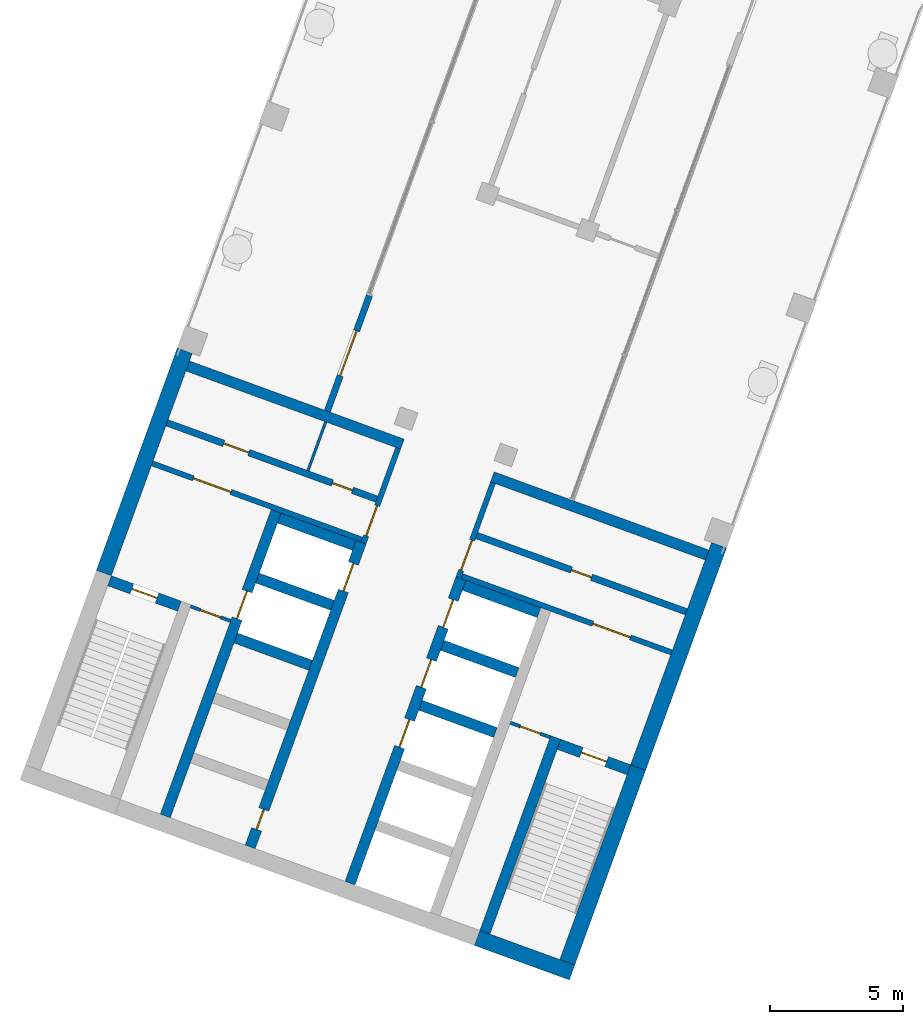
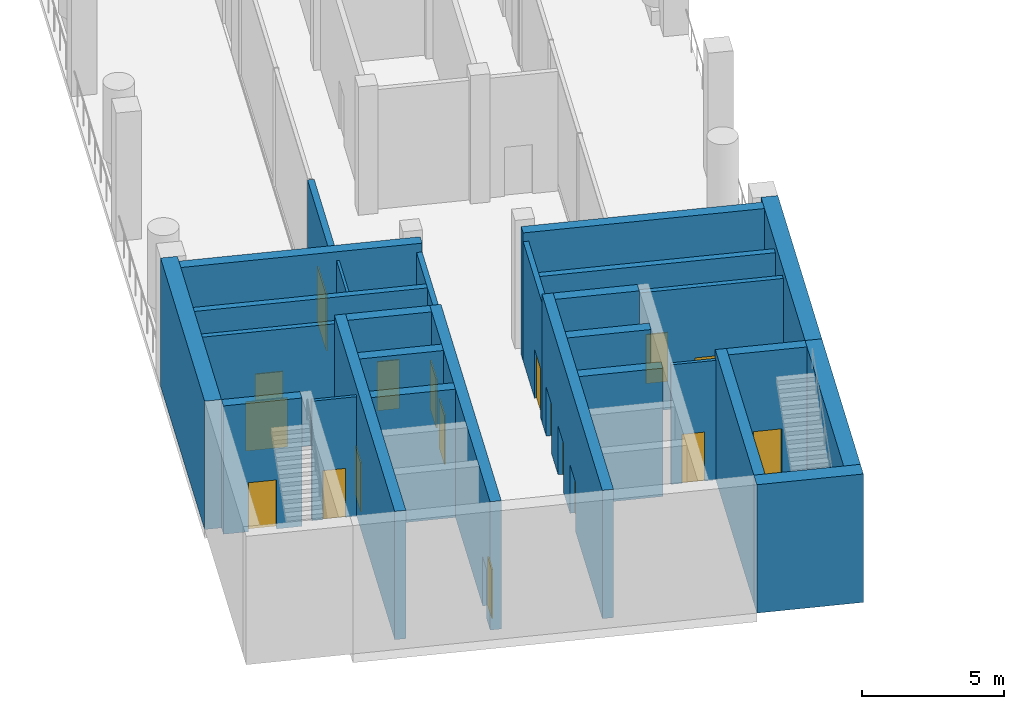
# One storey, part 9 of 19: 28 walls, 18 doors, 18 openings.
"""IFC4 building model written with IfcOpenShell, lengths in metres."""

from ifc_helpers import new_model, si_unit, direction, frame, frame_2d, origin, place, context, subcontext, project, spatial, rectangle, extrude, material, layer, layer_set, type_object, element, fill, save


model = new_model("IFC4")

# Units and contexts
model_context = context("Model", 3, precision=1e-05, world=origin(), true_north=direction((0.0, 1.0)))
body_context = subcontext(model_context, "Body", "Model", "MODEL_VIEW")
ifc_project = project(units=[si_unit("LENGTHUNIT", "METRE"), si_unit("AREAUNIT", "SQUARE_METRE"), si_unit("VOLUMEUNIT", "CUBIC_METRE"), si_unit("PLANEANGLEUNIT", "RADIAN"), si_unit("MASSUNIT", "GRAM", prefix="KILO")], contexts=[model_context])

# Site, building, storey
site_placement = place(None, origin())
site = spatial("IfcSite", under=ifc_project, at=site_placement, CompositionType="ELEMENT")
building_placement = place(site_placement, origin())
building = spatial("IfcBuilding", under=site, at=building_placement, Name="Skarvind Civic Tower", CompositionType="ELEMENT")
storey_placement = place(building_placement, frame((0.0, 0.0, 75.5)))
storey = spatial("IfcBuildingStorey", under=building, at=storey_placement, Name="L17", CompositionType="ELEMENT", Elevation=75.5)

# Wall, opening, door
ifc_material_1 = material(Name="Fire-rated masonry partition", Category="masonry")
ifc_layer_1 = layer(ifc_material_1, 0.199951171875)
ifc_layer_set_1 = layer_set([ifc_layer_1], Name="Core enclosure wall 200")
wall_type_1 = type_object("IfcWallType", Name="Core enclosure wall 200", PredefinedType="PARTITIONING", material=ifc_layer_set_1)
wall_1_placement = place(storey_placement, frame((31.491455078125, 93.693359375, 0.0), z_axis=(0.0, 0.0, 1.0), x_axis=(0.341995824804, 0.939701471648, 0.0)))
wall_1 = element("IfcWall", 1, at=wall_1_placement, inside=storey, type_object=wall_type_1, Name="Core wall C2", PredefinedType="PARTITIONING", context=body_context, shape_type="SweptSolid", body=[
    extrude(rectangle(XDim=3.800048828125, YDim=0.199951171875, at=frame_2d((1.89990234375, 0.0))), origin(), (0.0, 0.0, 1.0), 5.125),
])
opening_1_placement = place(wall_1_placement, frame((0.300048828125, 0.0, 0.0)))
opening_1 = element("IfcOpeningElement", 2, at=opening_1_placement, cuts=wall_1, Name="Opening D-L17-C2-06", PredefinedType="OPENING", context=body_context, shape_type="SweptSolid", body=[
    extrude(rectangle(XDim=1.199951171875, YDim=2.10009765625, at=frame_2d((0.60009765625, 1.050048828125))), frame((0.0, 0.10986328125, 0.0), z_axis=(0.0, -1.0, 0.0), x_axis=(1.0, 0.0, 0.0)), (0.0, 0.0, 1.0), 0.219970703125),
])
ifc_material_2 = material(Name="Fire-rated steel door", Category="steel")
door_type_1 = type_object("IfcDoorType", Name="Core lobby door 1200", OperationType="NOTDEFINED", PredefinedType="DOOR", material=ifc_material_2)
door_1_placement = place(opening_1_placement, origin())
door_1 = element("IfcDoor", 3, at=door_1_placement, inside=storey, type_object=door_type_1, Name="Fire door", OperationType="DOUBLE_DOOR_SINGLE_SWING", OverallHeight=2.10009765625, OverallWidth=1.199951171875, PredefinedType="DOOR", context=body_context, shape_type="SweptSolid", body=[
    extrude(rectangle(XDim=1.199951171875, YDim=2.10009765625, at=frame_2d((0.60009765625, 1.050048828125))), frame((0.0, 0.02490234375, 0.0), z_axis=(0.0, -1.0, 0.0), x_axis=(1.0, 0.0, 0.0)), (0.0, 0.0, 1.0), 0.050048828125),
])
fill(opening_1, door_1)

wall_2_placement = place(storey_placement, frame((23.5380859375, 96.6943359375, 0.0), z_axis=(0.0, 0.0, 1.0), x_axis=(0.939691552312, -0.342023078919, 0.0)))
wall_2 = element("IfcWall", 4, at=wall_2_placement, inside=storey, type_object=wall_type_1, Name="Core wall C2", PredefinedType="PARTITIONING", context=body_context, shape_type="SweptSolid", body=[
    extrude(rectangle(XDim=8.400146484375, YDim=0.199951171875, at=frame_2d((4.2001953125, 0.0))), origin(), (0.0, 0.0, 1.0), 5.125),
])
opening_2_placement = place(wall_2_placement, frame((1.64990234375, 0.0, 0.0)))
opening_2 = element("IfcOpeningElement", 5, at=opening_2_placement, cuts=wall_2, Name="Opening D-L17-C2-07", PredefinedType="OPENING", context=body_context, shape_type="SweptSolid", body=[
    extrude(rectangle(XDim=1.5, YDim=2.10009765625, at=frame_2d((0.75, 1.050048828125))), frame((0.0, 0.10986328125, 0.0), z_axis=(0.0, -1.0, 0.0), x_axis=(1.0, 0.0, 0.0)), (0.0, 0.0, 1.0), 0.219970703125),
])
door_type_2 = type_object("IfcDoorType", Name="Fire door 1500", OperationType="NOTDEFINED", PredefinedType="DOOR", material=ifc_material_2)
door_2_placement = place(opening_2_placement, origin())
door_2 = element("IfcDoor", 6, at=door_2_placement, inside=storey, type_object=door_type_2, Name="Fire door", OperationType="DOUBLE_DOOR_SINGLE_SWING", OverallHeight=2.10009765625, OverallWidth=1.5, PredefinedType="DOOR", context=body_context, shape_type="SweptSolid", body=[
    extrude(rectangle(XDim=1.5, YDim=2.10009765625, at=frame_2d((0.75, 1.050048828125))), frame((0.0, 0.02490234375, 0.0), z_axis=(0.0, -1.0, 0.0), x_axis=(1.0, 0.0, 0.0)), (0.0, 0.0, 1.0), 0.050048828125),
])
fill(opening_2, door_2)

wall_3_placement = place(storey_placement, frame((36.36181640625, 95.96435546875, 0.0), z_axis=(0.0, 0.0, 1.0), x_axis=(-0.341995824804, -0.939701471648, 0.0)))
wall_3 = element("IfcWall", 7, at=wall_3_placement, inside=storey, type_object=wall_type_1, Name="Core wall C2", PredefinedType="PARTITIONING", context=body_context, shape_type="SweptSolid", body=[
    extrude(rectangle(XDim=3.800048828125, YDim=0.199951171875, at=frame_2d((1.89990234375, 0.0))), origin(), (0.0, 0.0, 1.0), 5.125),
])
opening_3_placement = place(wall_3_placement, frame((2.300048828125, 0.0, 0.0)))
opening_3 = element("IfcOpeningElement", 8, at=opening_3_placement, cuts=wall_3, Name="Opening D-L17-C2-12", PredefinedType="OPENING", context=body_context, shape_type="SweptSolid", body=[
    extrude(rectangle(XDim=1.199951171875, YDim=2.10009765625, at=frame_2d((0.60009765625, 1.050048828125))), frame((0.0, 0.10986328125, 0.0), z_axis=(0.0, -1.0, 0.0), x_axis=(1.0, 0.0, 0.0)), (0.0, 0.0, 1.0), 0.219970703125),
])
door_3_placement = place(opening_3_placement, origin())
door_3 = element("IfcDoor", 9, at=door_3_placement, inside=storey, type_object=door_type_1, Name="Fire door", OperationType="DOUBLE_DOOR_SINGLE_SWING", OverallHeight=2.10009765625, OverallWidth=1.199951171875, PredefinedType="DOOR", context=body_context, shape_type="SweptSolid", body=[
    extrude(rectangle(XDim=1.199951171875, YDim=2.10009765625, at=frame_2d((0.60009765625, 1.050048828125))), frame((0.0, 0.02490234375, 0.0), z_axis=(0.0, -1.0, 0.0), x_axis=(1.0, 0.0, 0.0)), (0.0, 0.0, 1.0), 0.050048828125),
])
fill(opening_3, door_3)

wall_4_placement = place(storey_placement, frame((35.1904296875, 92.453369140625, 0.0), z_axis=(0.0, 0.0, 1.0), x_axis=(0.939691552312, -0.342023078919, 0.0)))
wall_4 = element("IfcWall", 10, at=wall_4_placement, inside=storey, type_object=wall_type_1, Name="Core wall C2", PredefinedType="PARTITIONING", context=body_context, shape_type="SweptSolid", body=[
    extrude(rectangle(XDim=8.400146484375, YDim=0.199951171875, at=frame_2d((4.2001953125, 0.0))), origin(), (0.0, 0.0, 1.0), 5.125),
])
opening_4_placement = place(wall_4_placement, frame((5.25, 0.0, 0.0)))
opening_4 = element("IfcOpeningElement", 11, at=opening_4_placement, cuts=wall_4, Name="Opening D-L17-C2-13", PredefinedType="OPENING", context=body_context, shape_type="SweptSolid", body=[
    extrude(rectangle(XDim=1.5, YDim=2.10009765625, at=frame_2d((0.75, 1.050048828125))), frame((0.0, 0.10986328125, 0.0), z_axis=(0.0, -1.0, 0.0), x_axis=(1.0, 0.0, 0.0)), (0.0, 0.0, 1.0), 0.219970703125),
])
door_4_placement = place(opening_4_placement, origin())
door_4 = element("IfcDoor", 12, at=door_4_placement, inside=storey, type_object=door_type_2, Name="Fire door", OperationType="DOUBLE_DOOR_SINGLE_SWING", OverallHeight=2.10009765625, OverallWidth=1.5, PredefinedType="DOOR", context=body_context, shape_type="SweptSolid", body=[
    extrude(rectangle(XDim=1.5, YDim=2.10009765625, at=frame_2d((0.75, 1.050048828125))), frame((0.0, 0.02490234375, 0.0), z_axis=(0.0, -1.0, 0.0), x_axis=(1.0, 0.0, 0.0)), (0.0, 0.0, 1.0), 0.050048828125),
])
fill(opening_4, door_4)

# Walls
ifc_material_3 = material(Name="Fire-rated plasterboard partition")
ifc_layer_2 = layer(ifc_material_3, 0.10009765625)
ifc_layer_set_2 = layer_set([ifc_layer_2], Name="Core partition wall 100")
wall_type_2 = type_object("IfcWallType", Name="Core partition wall 100", PredefinedType="PARTITIONING", material=ifc_layer_set_2)
wall_5_placement = place(storey_placement, frame((29.399169921875, 96.423583984375, 0.0), z_axis=(0.0, 0.0, 1.0), x_axis=(0.341913947243, 0.939731266204, 0.0)))
element("IfcWall", 13, at=wall_5_placement, inside=storey, type_object=wall_type_2, Name="Core wall C2", PredefinedType="PARTITIONING", context=body_context, shape_type="SweptSolid", body=[
    extrude(rectangle(XDim=1.949951171875, YDim=0.10009765625, at=frame_2d((0.97509765625, 0.0))), origin(), (0.0, 0.0, 1.0), 5.125),
])
ifc_material_4 = material(Name="Concrete C80", Category="concrete")
ifc_layer_3 = layer(ifc_material_4, 0.39990234375)
ifc_layer_set_3 = layer_set([ifc_layer_3], Name="Core wall 400 C80")
wall_type_3 = type_object("IfcWallType", Name="Core wall 400 C80", PredefinedType="SHEAR", material=ifc_layer_set_3)
wall_6_placement = place(storey_placement, frame((36.057861328125, 79.04833984375, 0.0), z_axis=(0.0, 0.0, 1.0), x_axis=(0.342016982193, 0.939693771338, 0.0)))
element("IfcWall", 14, at=wall_6_placement, inside=storey, type_object=wall_type_3, Name="Core wall C2 south stair inner L17", PredefinedType="SHEAR", context=body_context, shape_type="SweptSolid", body=[
    extrude(rectangle(XDim=7.800048828125, YDim=0.39990234375, at=frame_2d((3.89990234375, 0.0))), origin(), (0.0, 0.0, 1.0), 5.5),
])

# Wall, opening, door
wall_7_placement = place(storey_placement, frame((41.476318359375, 85.163818359375, 0.0), z_axis=(0.0, 0.0, 1.0), x_axis=(-0.939678810556, 0.342058084236, 0.0)))
wall_7 = element("IfcWall", 15, at=wall_7_placement, inside=storey, type_object=wall_type_3, Name="Core wall C2 south stair end L17", PredefinedType="SHEAR", context=body_context, shape_type="SweptSolid", body=[
    extrude(rectangle(XDim=2.800048828125, YDim=0.39990234375, at=frame_2d((1.39990234375, 0.0))), origin(), (0.0, 0.0, 1.0), 5.5),
])
opening_5_placement = place(wall_7_placement, frame((0.89990234375, 0.0, 0.0)))
opening_5 = element("IfcOpeningElement", 16, at=opening_5_placement, cuts=wall_7, Name="Opening D-L17-C2-14", PredefinedType="OPENING", context=body_context, shape_type="SweptSolid", body=[
    extrude(rectangle(XDim=1.0, YDim=2.10009765625, at=frame_2d((0.5, 1.050048828125))), frame((0.0, 0.2099609375, 0.0), z_axis=(0.0, -1.0, 0.0), x_axis=(1.0, 0.0, 0.0)), (0.0, 0.0, 1.0), 0.419921875),
])
door_type_3 = type_object("IfcDoorType", Name="Fire door 1000", OperationType="NOTDEFINED", PredefinedType="DOOR", material=ifc_material_2)
door_5_placement = place(opening_5_placement, origin())
door_5 = element("IfcDoor", 17, at=door_5_placement, inside=storey, type_object=door_type_3, Name="Fire door", OperationType="SINGLE_SWING_RIGHT", OverallHeight=2.10009765625, OverallWidth=1.0, PredefinedType="DOOR", context=body_context, shape_type="SweptSolid", body=[
    extrude(rectangle(XDim=1.0, YDim=2.10009765625, at=frame_2d((0.5, 1.050048828125))), frame((0.0, 0.02490234375, 0.0), z_axis=(0.0, -1.0, 0.0), x_axis=(1.0, 0.0, 0.0)), (0.0, 0.0, 1.0), 0.050048828125),
])
fill(opening_5, door_5)

wall_8_placement = place(storey_placement, frame((24.56201171875, 91.3203125, 0.0), z_axis=(0.0, 0.0, 1.0), x_axis=(-0.939717030584, 0.341953070509, 0.0)))
wall_8 = element("IfcWall", 18, at=wall_8_placement, inside=storey, type_object=wall_type_3, Name="Core wall C2 north stair end L17", PredefinedType="SHEAR", context=body_context, shape_type="SweptSolid", body=[
    extrude(rectangle(XDim=2.800048828125, YDim=0.39990234375, at=frame_2d((1.39990234375, 0.0))), origin(), (0.0, 0.0, 1.0), 5.5),
])
opening_6_placement = place(wall_8_placement, frame((0.89990234375, 0.0, 0.0)))
opening_6 = element("IfcOpeningElement", 19, at=opening_6_placement, cuts=wall_8, Name="Opening D-L17-C2-08", PredefinedType="OPENING", context=body_context, shape_type="SweptSolid", body=[
    extrude(rectangle(XDim=1.0, YDim=2.10009765625, at=frame_2d((0.5, 1.050048828125))), frame((0.0, 0.2099609375, 0.0), z_axis=(0.0, -1.0, 0.0), x_axis=(1.0, 0.0, 0.0)), (0.0, 0.0, 1.0), 0.419921875),
])
door_6_placement = place(opening_6_placement, origin())
door_6 = element("IfcDoor", 20, at=door_6_placement, inside=storey, type_object=door_type_3, Name="Fire door", OperationType="SINGLE_SWING_LEFT", OverallHeight=2.10009765625, OverallWidth=1.0, PredefinedType="DOOR", context=body_context, shape_type="SweptSolid", body=[
    extrude(rectangle(XDim=1.0, YDim=2.10009765625, at=frame_2d((0.5, 1.050048828125))), frame((0.0, 0.02490234375, 0.0), z_axis=(0.0, -1.0, 0.0), x_axis=(1.0, 0.0, 0.0)), (0.0, 0.0, 1.0), 0.050048828125),
])
fill(opening_6, door_6)

# Wall, openings, doors
wall_9_placement = place(storey_placement, frame((30.983642578125, 80.895263671875, 0.0), z_axis=(0.0, 0.0, 1.0), x_axis=(0.342021021735, 0.939692301071, 0.0)))
wall_9 = element("IfcWall", 21, at=wall_9_placement, inside=storey, type_object=wall_type_3, Name="Core wall C2 south lift row front L17", PredefinedType="SHEAR", context=body_context, shape_type="SweptSolid", body=[
    extrude(rectangle(XDim=12.199951171875, YDim=0.39990234375, at=frame_2d((6.10009765625, 0.0))), origin(), (0.0, 0.0, 1.0), 5.5),
])
opening_7_placement = place(wall_9_placement, frame((5.449951171875, 0.0, 0.0)))
opening_7 = element("IfcOpeningElement", 22, at=opening_7_placement, cuts=wall_9, Name="Opening LD19208", PredefinedType="OPENING", context=body_context, shape_type="SweptSolid", body=[
    extrude(rectangle(XDim=1.10009765625, YDim=2.10009765625, at=frame_2d((0.550048828125, 1.050048828125))), frame((0.0, 0.2099609375, 0.0), z_axis=(0.0, -1.0, 0.0), x_axis=(1.0, 0.0, 0.0)), (0.0, 0.0, 1.0), 0.419921875),
])
opening_8_placement = place(wall_9_placement, frame((7.85009765625, 0.0, 0.0)))
opening_8 = element("IfcOpeningElement", 23, at=opening_8_placement, cuts=wall_9, Name="Opening LD19209", PredefinedType="OPENING", context=body_context, shape_type="SweptSolid", body=[
    extrude(rectangle(XDim=1.10009765625, YDim=2.10009765625, at=frame_2d((0.550048828125, 1.050048828125))), frame((0.0, 0.2099609375, 0.0), z_axis=(0.0, -1.0, 0.0), x_axis=(1.0, 0.0, 0.0)), (0.0, 0.0, 1.0), 0.419921875),
])
opening_9_placement = place(wall_9_placement, frame((10.25, 0.0, 0.0)))
opening_9 = element("IfcOpeningElement", 24, at=opening_9_placement, cuts=wall_9, Name="Opening LD19210", PredefinedType="OPENING", context=body_context, shape_type="SweptSolid", body=[
    extrude(rectangle(XDim=1.10009765625, YDim=2.10009765625, at=frame_2d((0.550048828125, 1.050048828125))), frame((0.0, 0.2099609375, 0.0), z_axis=(0.0, -1.0, 0.0), x_axis=(1.0, 0.0, 0.0)), (0.0, 0.0, 1.0), 0.419921875),
])
ifc_material_5 = material(Name="Stainless steel landing door", Category="steel")
door_type_4 = type_object("IfcDoorType", Name="Lift landing door 1100", OperationType="DOUBLE_DOOR_SLIDING", PredefinedType="DOOR", material=ifc_material_5)
door_7_placement = place(opening_7_placement, origin())
door_7 = element("IfcDoor", 25, at=door_7_placement, inside=storey, type_object=door_type_4, Name="Lift landing door", OperationType="DOUBLE_DOOR_SLIDING", OverallHeight=2.10009765625, OverallWidth=1.10009765625, PredefinedType="DOOR", context=body_context, shape_type="SweptSolid", body=[
    extrude(rectangle(XDim=1.10009765625, YDim=2.10009765625, at=frame_2d((0.550048828125, 1.050048828125))), frame((0.0, 0.02490234375, 0.0), z_axis=(0.0, -1.0, 0.0), x_axis=(1.0, 0.0, 0.0)), (0.0, 0.0, 1.0), 0.050048828125),
])
fill(opening_7, door_7)
door_8_placement = place(opening_8_placement, origin())
door_8 = element("IfcDoor", 26, at=door_8_placement, inside=storey, type_object=door_type_4, Name="Lift landing door", OperationType="DOUBLE_DOOR_SLIDING", OverallHeight=2.10009765625, OverallWidth=1.10009765625, PredefinedType="DOOR", context=body_context, shape_type="SweptSolid", body=[
    extrude(rectangle(XDim=1.10009765625, YDim=2.10009765625, at=frame_2d((0.550048828125, 1.050048828125))), frame((0.0, 0.02490234375, 0.0), z_axis=(0.0, -1.0, 0.0), x_axis=(1.0, 0.0, 0.0)), (0.0, 0.0, 1.0), 0.050048828125),
])
fill(opening_8, door_8)
door_9_placement = place(opening_9_placement, origin())
door_9 = element("IfcDoor", 27, at=door_9_placement, inside=storey, type_object=door_type_4, Name="Lift landing door", OperationType="DOUBLE_DOOR_SLIDING", OverallHeight=2.10009765625, OverallWidth=1.10009765625, PredefinedType="DOOR", context=body_context, shape_type="SweptSolid", body=[
    extrude(rectangle(XDim=1.10009765625, YDim=2.10009765625, at=frame_2d((0.550048828125, 1.050048828125))), frame((0.0, 0.02490234375, 0.0), z_axis=(0.0, -1.0, 0.0), x_axis=(1.0, 0.0, 0.0)), (0.0, 0.0, 1.0), 0.050048828125),
])
fill(opening_9, door_9)

# Walls
for number, where, z_axis, x_axis, name in (
    (28, (36.453125, 86.56640625, 0.0), (0.0, 0.0, 1.0), (-0.939686455819, 0.342037080957, 0.0), "Core wall C2 south lift row division 3 L17"),
    (29, (37.27392578125, 88.82177734375, 0.0), (0.0, 0.0, 1.0), (-0.939686455819, 0.342037080957, 0.0), "Core wall C2 south lift row division 4 L17"),
):
    element("IfcWall", number, at=place(storey_placement, frame(where, z_axis=z_axis, x_axis=x_axis)), inside=storey, type_object=wall_type_3, Name=name, PredefinedType="SHEAR", context=body_context, shape_type="SweptSolid", body=[
        extrude(rectangle(XDim=3.0, YDim=0.39990234375, at=frame_2d((1.5, 0.0))), origin(), (0.0, 0.0, 1.0), 5.5),
    ])
wall_10_placement = place(storey_placement, frame((38.0947265625, 91.076904296875, 0.0), z_axis=(0.0, 0.0, 1.0), x_axis=(-0.939676934218, 0.342063238742, 0.0)))
element("IfcWall", 30, at=wall_10_placement, inside=storey, type_object=wall_type_3, Name="Core wall C2 south lift row division 5 L17", PredefinedType="SHEAR", context=body_context, shape_type="SweptSolid", body=[
    extrude(rectangle(XDim=2.999755859375, YDim=0.39990234375, at=frame_2d((1.5, 0.0))), origin(), (0.0, 0.0, 1.0), 5.5),
])

# Wall, openings, doors
wall_11_placement = place(storey_placement, frame((27.224853515625, 82.26318359375, 0.0), z_axis=(0.0, 0.0, 1.0), x_axis=(0.342014590177, 0.939694641948, 0.0)))
wall_11 = element("IfcWall", 31, at=wall_11_placement, inside=storey, type_object=wall_type_3, Name="Core wall C2 north lift row front L17", PredefinedType="SHEAR", context=body_context, shape_type="SweptSolid", body=[
    extrude(rectangle(XDim=12.2001953125, YDim=0.39990234375, at=frame_2d((6.10009765625, 0.0))), origin(), (0.0, 0.0, 1.0), 5.5),
])
opening_10_placement = place(wall_11_placement, frame((10.25, 0.0, 0.0)))
opening_10 = element("IfcOpeningElement", 32, at=opening_10_placement, cuts=wall_11, Name="Opening LD19205", PredefinedType="OPENING", context=body_context, shape_type="SweptSolid", body=[
    extrude(rectangle(XDim=1.10009765625, YDim=2.10009765625, at=frame_2d((0.550048828125, 1.050048828125))), frame((0.0, 0.2099609375, 0.0), z_axis=(0.0, -1.0, 0.0), x_axis=(1.0, 0.0, 0.0)), (0.0, 0.0, 1.0), 0.419921875),
])
opening_11_placement = place(wall_11_placement, frame((0.699951171875, 0.0, 0.0)))
opening_11 = element("IfcOpeningElement", 33, at=opening_11_placement, cuts=wall_11, Name="Opening D-L17-C2-05", PredefinedType="OPENING", context=body_context, shape_type="SweptSolid", body=[
    extrude(rectangle(XDim=0.800048828125, YDim=2.10009765625, at=frame_2d((0.39990234375, 1.050048828125))), frame((0.0, 0.2099609375, 0.0), z_axis=(0.0, -1.0, 0.0), x_axis=(1.0, 0.0, 0.0)), (0.0, 0.0, 1.0), 0.419921875),
])
door_type_5 = type_object("IfcDoorType", Name="Core riser door 800", OperationType="NOTDEFINED", PredefinedType="DOOR", material=ifc_material_2)
door_10_placement = place(opening_11_placement, origin())
door_10 = element("IfcDoor", 34, at=door_10_placement, inside=storey, type_object=door_type_5, Name="Riser door", OperationType="SINGLE_SWING_LEFT", OverallHeight=2.10009765625, OverallWidth=0.800048828125, PredefinedType="DOOR", context=body_context, shape_type="SweptSolid", body=[
    extrude(rectangle(XDim=0.800048828125, YDim=2.10009765625, at=frame_2d((0.39990234375, 1.050048828125))), frame((0.0, 0.02490234375, 0.0), z_axis=(0.0, -1.0, 0.0), x_axis=(1.0, 0.0, 0.0)), (0.0, 0.0, 1.0), 0.050048828125),
])
fill(opening_11, door_10)
door_11_placement = place(opening_10_placement, origin())
door_11 = element("IfcDoor", 35, at=door_11_placement, inside=storey, type_object=door_type_4, Name="Lift landing door", OperationType="DOUBLE_DOOR_SLIDING", OverallHeight=2.10009765625, OverallWidth=1.10009765625, PredefinedType="DOOR", context=body_context, shape_type="SweptSolid", body=[
    extrude(rectangle(XDim=1.10009765625, YDim=2.10009765625, at=frame_2d((0.550048828125, 1.050048828125))), frame((0.0, 0.02490234375, 0.0), z_axis=(0.0, -1.0, 0.0), x_axis=(1.0, 0.0, 0.0)), (0.0, 0.0, 1.0), 0.050048828125),
])
fill(opening_10, door_11)

# Wall, opening, door
wall_12_placement = place(storey_placement, frame((24.02978515625, 83.426025390625, 0.0), z_axis=(0.0, 0.0, 1.0), x_axis=(0.342014590177, 0.939694641948, 0.0)))
wall_12 = element("IfcWall", 36, at=wall_12_placement, inside=storey, type_object=wall_type_3, Name="Core wall C2 north lift row back L17", PredefinedType="SHEAR", context=body_context, shape_type="SweptSolid", body=[
    extrude(rectangle(XDim=12.2001953125, YDim=0.39990234375, at=frame_2d((6.10009765625, 0.0))), origin(), (0.0, 0.0, 1.0), 5.5),
])
opening_12_placement = place(wall_12_placement, frame((7.89990234375, 0.0, 0.0)))
opening_12 = element("IfcOpeningElement", 37, at=opening_12_placement, cuts=wall_12, Name="Opening LD19204", PredefinedType="OPENING", context=body_context, shape_type="SweptSolid", body=[
    extrude(rectangle(XDim=1.10009765625, YDim=2.10009765625, at=frame_2d((0.550048828125, 1.050048828125))), frame((0.0, 0.2099609375, 0.0), z_axis=(0.0, -1.0, 0.0), x_axis=(1.0, 0.0, 0.0)), (0.0, 0.0, 1.0), 0.419921875),
])
door_12_placement = place(opening_12_placement, origin())
door_12 = element("IfcDoor", 38, at=door_12_placement, inside=storey, type_object=door_type_4, Name="Lift landing door", OperationType="DOUBLE_DOOR_SLIDING", OverallHeight=2.10009765625, OverallWidth=1.10009765625, PredefinedType="DOOR", context=body_context, shape_type="SweptSolid", body=[
    extrude(rectangle(XDim=1.10009765625, YDim=2.10009765625, at=frame_2d((0.550048828125, 1.050048828125))), frame((0.0, 0.02490234375, 0.0), z_axis=(0.0, -1.0, 0.0), x_axis=(1.0, 0.0, 0.0)), (0.0, 0.0, 1.0), 0.050048828125),
])
fill(opening_12, door_12)

# Walls
for number, where, z_axis, x_axis, name in (
    (39, (29.49951171875, 89.097412109375, 0.0), (0.0, 0.0, 1.0), (-0.939686455819, 0.342037080957, 0.0), "Core wall C2 north lift row division 3 L17"),
    (40, (30.3203125, 91.352783203125, 0.0), (0.0, 0.0, 1.0), (-0.939712609717, 0.341965219194, 0.0), "Core wall C2 north lift row division 4 L17"),
    (41, (31.14111328125, 93.60791015625, 0.0), (0.0, 0.0, 1.0), (-0.939686455819, 0.342037080957, 0.0), "Core wall C2 north lift row division 5 L17"),
):
    element("IfcWall", number, at=place(storey_placement, frame(where, z_axis=z_axis, x_axis=x_axis)), inside=storey, type_object=wall_type_3, Name=name, PredefinedType="SHEAR", context=body_context, shape_type="SweptSolid", body=[
        extrude(rectangle(XDim=3.0, YDim=0.39990234375, at=frame_2d((1.5, 0.0))), origin(), (0.0, 0.0, 1.0), 5.5),
    ])
for number, where, z_axis, x_axis, name in (
    (42, (44.417724609375, 93.2451171875, 0.0), (0.0, 0.0, 1.0), (-0.93969060187, 0.342025690201, 0.0), "Core wall C2 south inner face L17"),
    (43, (32.953369140625, 97.417724609375, 0.0), (0.0, 0.0, 1.0), (-0.93969060187, 0.342025690201, 0.0), "Core wall C2 north inner face L17"),
):
    element("IfcWall", number, at=place(storey_placement, frame(where, z_axis=z_axis, x_axis=x_axis)), inside=storey, type_object=wall_type_3, Name=name, PredefinedType="SHEAR", context=body_context, shape_type="SweptSolid", body=[
        extrude(rectangle(XDim=8.599853515625, YDim=0.39990234375, at=frame_2d((4.2998046875, 0.0))), origin(), (0.0, 0.0, 1.0), 5.5),
    ])
ifc_layer_4 = layer(ifc_material_4, 0.60009765625)
ifc_layer_set_4 = layer_set([ifc_layer_4], Name="Core wall 600 C80")
wall_type_4 = type_object("IfcWallType", Name="Core wall 600 C80", PredefinedType="SHEAR", material=ifc_layer_set_4)
wall_13_placement = place(storey_placement, frame((39.338134765625, 77.53515625, 0.0), z_axis=(0.0, 0.0, 1.0), x_axis=(-0.939701471648, 0.341995824804, 0.0)))
element("IfcWall", 44, at=wall_13_placement, inside=storey, type_object=wall_type_4, Name="Core wall C2 tip at the south stair L17", PredefinedType="SHEAR", context=body_context, shape_type="SweptSolid", body=[
    extrude(rectangle(XDim=3.800048828125, YDim=0.60009765625, at=frame_2d((1.89990234375, 0.0))), origin(), (0.0, 0.0, 1.0), 5.5),
])
wall_14_placement = place(storey_placement, frame((39.158935546875, 77.919677734375, 0.0), z_axis=(0.0, 0.0, 1.0), x_axis=(0.342016982193, 0.939693771338, 0.0)))
element("IfcWall", 45, at=wall_14_placement, inside=storey, type_object=wall_type_4, Name="Core wall C2 south side at the stair L17", PredefinedType="SHEAR", context=body_context, shape_type="SweptSolid", body=[
    extrude(rectangle(XDim=7.800048828125, YDim=0.60009765625, at=frame_2d((3.89990234375, 0.0))), origin(), (0.0, 0.0, 1.0), 5.5),
])
for number, where, z_axis, x_axis, name in (
    (46, (41.82666015625, 85.249267578125, 0.0), (0.0, 0.0, 1.0), (0.342016162452, 0.939694069696, 0.0), "Core wall C2 south side L17"),
    (47, (21.71728515625, 92.568359375, 0.0), (0.0, 0.0, 1.0), (0.342016162452, 0.939694069696, 0.0), "Core wall C2 north side L17"),
):
    element("IfcWall", number, at=place(storey_placement, frame(where, z_axis=z_axis, x_axis=x_axis)), inside=storey, type_object=wall_type_4, Name=name, PredefinedType="SHEAR", context=body_context, shape_type="SweptSolid", body=[
        extrude(rectangle(XDim=8.89990234375, YDim=0.60009765625, at=frame_2d((4.449951171875, 0.0))), origin(), (0.0, 0.0, 1.0), 5.5),
    ])

# Wall, opening, door
ifc_layer_5 = layer(ifc_material_1, 0.125)
ifc_layer_set_5 = layer_set([ifc_layer_5], Name="Riser wall 125")
wall_type_5 = type_object("IfcWallType", Name="Riser wall 125", PredefinedType="PARTITIONING", material=ifc_layer_set_5)
wall_15_placement = place(storey_placement, frame((24.98486328125, 91.3125, 0.0), z_axis=(0.0, 0.0, 1.0), x_axis=(0.939708740826, -0.341975850632, 0.0)))
wall_15 = element("IfcWall", 48, at=wall_15_placement, inside=storey, type_object=wall_type_5, Name="Core wall C2", PredefinedType="PARTITIONING", context=body_context, shape_type="SweptSolid", body=[
    extrude(rectangle(XDim=1.599853515625, YDim=0.125, at=frame_2d((0.7998046875, 0.0))), origin(), (0.0, 0.0, 1.0), 5.125),
])
opening_13_placement = place(wall_15_placement, frame((0.39990234375, 0.0, 0.0)))
opening_13 = element("IfcOpeningElement", 49, at=opening_13_placement, cuts=wall_15, Name="Opening D-L17-C2-09", PredefinedType="OPENING", context=body_context, shape_type="SweptSolid", body=[
    extrude(rectangle(XDim=0.800048828125, YDim=2.10009765625, at=frame_2d((0.39990234375, 1.050048828125))), frame((0.0, 0.072509765625, 0.0), z_axis=(0.0, -1.0, 0.0), x_axis=(1.0, 0.0, 0.0)), (0.0, 0.0, 1.0), 0.14501953125),
])
door_13_placement = place(opening_13_placement, origin())
door_13 = element("IfcDoor", 50, at=door_13_placement, inside=storey, type_object=door_type_5, Name="Riser door", OperationType="SINGLE_SWING_RIGHT", OverallHeight=2.10009765625, OverallWidth=0.800048828125, PredefinedType="DOOR", context=body_context, shape_type="SweptSolid", body=[
    extrude(rectangle(XDim=0.800048828125, YDim=2.10009765625, at=frame_2d((0.39990234375, 1.050048828125))), frame((0.0, 0.02490234375, 0.0), z_axis=(0.0, -1.0, 0.0), x_axis=(1.0, 0.0, 0.0)), (0.0, 0.0, 1.0), 0.050048828125),
])
fill(opening_13, door_13)

wall_16_placement = place(storey_placement, frame((37.012939453125, 86.934814453125, 0.0), z_axis=(0.0, 0.0, 1.0), x_axis=(0.939659694648, -0.342110593602, 0.0)))
wall_16 = element("IfcWall", 51, at=wall_16_placement, inside=storey, type_object=wall_type_5, Name="Core wall C2", PredefinedType="PARTITIONING", context=body_context, shape_type="SweptSolid", body=[
    extrude(rectangle(XDim=1.599853515625, YDim=0.125, at=frame_2d((0.7998046875, 0.0))), origin(), (0.0, 0.0, 1.0), 5.125),
])
opening_14_placement = place(wall_16_placement, frame((0.39990234375, 0.0, 0.0)))
opening_14 = element("IfcOpeningElement", 52, at=opening_14_placement, cuts=wall_16, Name="Opening D-L17-C2-15", PredefinedType="OPENING", context=body_context, shape_type="SweptSolid", body=[
    extrude(rectangle(XDim=0.800048828125, YDim=2.10009765625, at=frame_2d((0.39990234375, 1.050048828125))), frame((0.0, 0.072509765625, 0.0), z_axis=(0.0, -1.0, 0.0), x_axis=(1.0, 0.0, 0.0)), (0.0, 0.0, 1.0), 0.14501953125),
])
door_14_placement = place(opening_14_placement, origin())
door_14 = element("IfcDoor", 53, at=door_14_placement, inside=storey, type_object=door_type_5, Name="Riser door", OperationType="SINGLE_SWING_LEFT", OverallHeight=2.10009765625, OverallWidth=0.800048828125, PredefinedType="DOOR", context=body_context, shape_type="SweptSolid", body=[
    extrude(rectangle(XDim=0.800048828125, YDim=2.10009765625, at=frame_2d((0.39990234375, 1.050048828125))), frame((0.0, 0.02490234375, 0.0), z_axis=(0.0, -1.0, 0.0), x_axis=(1.0, 0.0, 0.0)), (0.0, 0.0, 1.0), 0.050048828125),
])
fill(opening_14, door_14)

# Wall, openings, doors
ifc_layer_6 = layer(ifc_material_1, 0.25)
ifc_layer_set_6 = layer_set([ifc_layer_6], Name="Service block wall 250")
wall_type_6 = type_object("IfcWallType", Name="Service block wall 250", PredefinedType="PARTITIONING", material=ifc_layer_set_6)
wall_17_placement = place(storey_placement, frame((24.093994140625, 98.221435546875, 0.0), z_axis=(0.0, 0.0, 1.0), x_axis=(0.939691552312, -0.342023078919, 0.0)))
wall_17 = element("IfcWall", 54, at=wall_17_placement, inside=storey, type_object=wall_type_6, Name="Core wall C2", PredefinedType="PARTITIONING", context=body_context, shape_type="SweptSolid", body=[
    extrude(rectangle(XDim=8.400146484375, YDim=0.25, at=frame_2d((4.2001953125, 0.0))), origin(), (0.0, 0.0, 1.0), 5.125),
])
opening_15_placement = place(wall_17_placement, frame((6.625, 0.0, 0.0)))
opening_15 = element("IfcOpeningElement", 55, at=opening_15_placement, cuts=wall_17, Name="Opening D-L17-C2-10", PredefinedType="OPENING", context=body_context, shape_type="SweptSolid", body=[
    extrude(rectangle(XDim=0.800048828125, YDim=2.10009765625, at=frame_2d((0.39990234375, 1.050048828125))), frame((0.0, 0.135009765625, 0.0), z_axis=(0.0, -1.0, 0.0), x_axis=(1.0, 0.0, 0.0)), (0.0, 0.0, 1.0), 0.27001953125),
])
opening_16_placement = place(wall_17_placement, frame((2.27490234375, 0.0, 0.0)))
opening_16 = element("IfcOpeningElement", 56, at=opening_16_placement, cuts=wall_17, Name="Opening D-L17-C2-11", PredefinedType="OPENING", context=body_context, shape_type="SweptSolid", body=[
    extrude(rectangle(XDim=1.0, YDim=2.10009765625, at=frame_2d((0.5, 1.050048828125))), frame((0.0, 0.135009765625, 0.0), z_axis=(0.0, -1.0, 0.0), x_axis=(1.0, 0.0, 0.0)), (0.0, 0.0, 1.0), 0.27001953125),
])
door_15_placement = place(opening_15_placement, origin())
door_15 = element("IfcDoor", 57, at=door_15_placement, inside=storey, type_object=door_type_5, Name="Riser door", OperationType="SINGLE_SWING_LEFT", OverallHeight=2.10009765625, OverallWidth=0.800048828125, PredefinedType="DOOR", context=body_context, shape_type="SweptSolid", body=[
    extrude(rectangle(XDim=0.800048828125, YDim=2.10009765625, at=frame_2d((0.39990234375, 1.050048828125))), frame((0.0, 0.02490234375, 0.0), z_axis=(0.0, -1.0, 0.0), x_axis=(1.0, 0.0, 0.0)), (0.0, 0.0, 1.0), 0.050048828125),
])
fill(opening_15, door_15)
door_16_placement = place(opening_16_placement, origin())
door_16 = element("IfcDoor", 58, at=door_16_placement, inside=storey, type_object=door_type_3, Name="Fire door", OperationType="SINGLE_SWING_RIGHT", OverallHeight=2.10009765625, OverallWidth=1.0, PredefinedType="DOOR", context=body_context, shape_type="SweptSolid", body=[
    extrude(rectangle(XDim=1.0, YDim=2.10009765625, at=frame_2d((0.5, 1.050048828125))), frame((0.0, 0.02490234375, 0.0), z_axis=(0.0, -1.0, 0.0), x_axis=(1.0, 0.0, 0.0)), (0.0, 0.0, 1.0), 0.050048828125),
])
fill(opening_16, door_16)

# Wall, opening, door
wall_18_placement = place(storey_placement, frame((35.74609375, 93.98046875, 0.0), z_axis=(0.0, 0.0, 1.0), x_axis=(0.939691552312, -0.342023078919, 0.0)))
wall_18 = element("IfcWall", 59, at=wall_18_placement, inside=storey, type_object=wall_type_6, Name="Core wall C2", PredefinedType="PARTITIONING", context=body_context, shape_type="SweptSolid", body=[
    extrude(rectangle(XDim=8.400146484375, YDim=0.25, at=frame_2d((4.2001953125, 0.0))), origin(), (0.0, 0.0, 1.0), 5.125),
])
opening_17_placement = place(wall_18_placement, frame((3.800048828125, 0.0, 0.0)))
opening_17 = element("IfcOpeningElement", 60, at=opening_17_placement, cuts=wall_18, Name="Opening D-L17-C2-16", PredefinedType="OPENING", context=body_context, shape_type="SweptSolid", body=[
    extrude(rectangle(XDim=0.800048828125, YDim=2.10009765625, at=frame_2d((0.39990234375, 1.050048828125))), frame((0.0, 0.135009765625, 0.0), z_axis=(0.0, -1.0, 0.0), x_axis=(1.0, 0.0, 0.0)), (0.0, 0.0, 1.0), 0.27001953125),
])
door_17_placement = place(opening_17_placement, origin())
door_17 = element("IfcDoor", 61, at=door_17_placement, inside=storey, type_object=door_type_5, Name="Riser door", OperationType="SINGLE_SWING_RIGHT", OverallHeight=2.10009765625, OverallWidth=0.800048828125, PredefinedType="DOOR", context=body_context, shape_type="SweptSolid", body=[
    extrude(rectangle(XDim=0.800048828125, YDim=2.10009765625, at=frame_2d((0.39990234375, 1.050048828125))), frame((0.0, 0.02490234375, 0.0), z_axis=(0.0, -1.0, 0.0), x_axis=(1.0, 0.0, 0.0)), (0.0, 0.0, 1.0), 0.050048828125),
])
fill(opening_17, door_17)

ifc_material_6 = material(Name="Limestone masonry cladding on insulated backing", Category="masonry")
ifc_layer_7 = layer(ifc_material_6, 0.239990234375)
ifc_layer_set_7 = layer_set([ifc_layer_7], Name="WX4 STONE DOOR PIER WALL 240")
wall_type_7 = type_object("IfcWallType", Name="WX4 STONE DOOR PIER WALL 240", PredefinedType="SOLIDWALL", material=ifc_layer_set_7)
wall_19_placement = place(storey_placement, frame((30.127685546875, 98.6591796875, 0.0), z_axis=(0.0, 0.0, 1.0), x_axis=(0.341996679836, 0.939701160466, 0.0)))
wall_19 = element("IfcWall", 62, at=wall_19_placement, inside=storey, type_object=wall_type_7, Name="STONE DOOR PIER WALL", PredefinedType="SOLIDWALL", context=body_context, shape_type="SweptSolid", body=[
    extrude(rectangle(XDim=4.63720703125, YDim=0.239990234375, at=frame_2d((2.318603515625, 0.0))), origin(), (0.0, 0.0, 1.0), 5.125),
])
opening_18_placement = place(wall_19_placement, frame((1.418701171875, 0.0, 0.0)))
opening_18 = element("IfcOpeningElement", 63, at=opening_18_placement, cuts=wall_19, Name="Opening DX3", PredefinedType="OPENING", context=body_context, shape_type="SweptSolid", body=[
    extrude(rectangle(XDim=1.800048828125, YDim=2.39990234375, at=frame_2d((0.89990234375, 1.199951171875))), frame((0.0, 0.1298828125, 0.0), z_axis=(0.0, -1.0, 0.0), x_axis=(1.0, 0.0, 0.0)), (0.0, 0.0, 1.0), 0.260009765625),
])
ifc_material_7 = material(Name="Timber and glass doorset", Category="wood")
door_type_6 = type_object("IfcDoorType", Name="DX3 TERRACE DOORS 1800 x 2400", OperationType="NOTDEFINED", PredefinedType="DOOR", material=ifc_material_7)
door_18_placement = place(opening_18_placement, origin())
door_18 = element("IfcDoor", 64, at=door_18_placement, inside=storey, type_object=door_type_6, Name="TERRACE DOORS", OperationType="DOUBLE_DOOR_SINGLE_SWING", OverallHeight=2.39990234375, OverallWidth=1.800048828125, PredefinedType="DOOR", context=body_context, shape_type="SweptSolid", body=[
    extrude(rectangle(XDim=1.800048828125, YDim=2.39990234375, at=frame_2d((0.89990234375, 1.199951171875))), frame((0.0, 0.02490234375, 0.0), z_axis=(0.0, -1.0, 0.0), x_axis=(1.0, 0.0, 0.0)), (0.0, 0.0, 1.0), 0.050048828125),
])
fill(opening_18, door_18)

save(model, "model.ifc")
